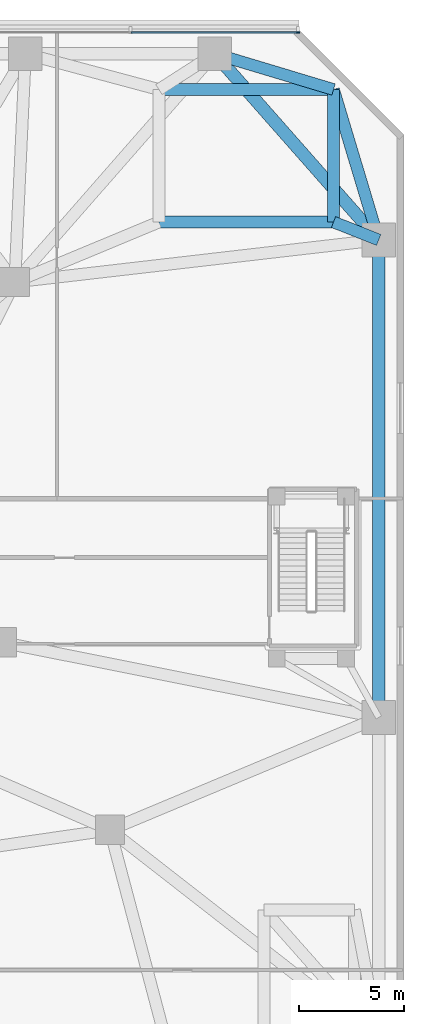
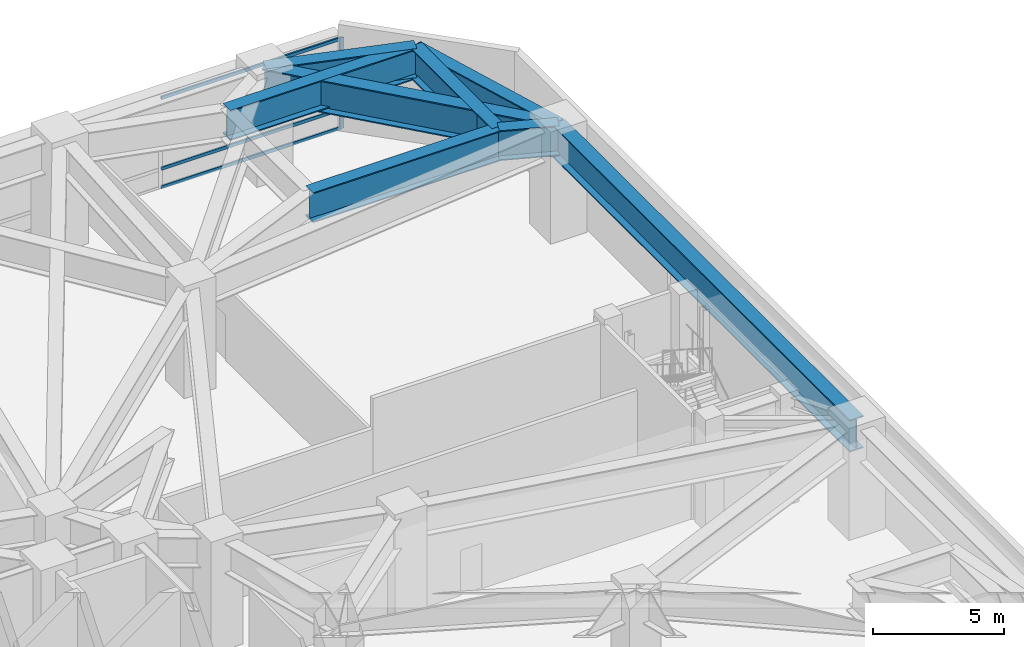
# One storey, part 13 of 27: 8 beams, 4 members, 1 element without a shape of its own.
"""IFC4 building model written with IfcOpenShell, lengths in metres."""

from ifc_helpers import new_model, si_unit, direction, frame, origin, origin_2d, place, context, subcontext, project, spatial, rectangle, i_section, extrude, material, layer, layer_set, material_profile, profile_set, type_object, element, aggregate, save


model = new_model("IFC4")

# Units and contexts
model_context = context("Model", 3, precision=1e-05, world=origin(), true_north=direction((0.0, 1.0)))
body_context = subcontext(model_context, "Body", "Model", "MODEL_VIEW")
ifc_project = project(units=[si_unit("LENGTHUNIT", "METRE"), si_unit("AREAUNIT", "SQUARE_METRE"), si_unit("VOLUMEUNIT", "CUBIC_METRE"), si_unit("PLANEANGLEUNIT", "RADIAN"), si_unit("MASSUNIT", "GRAM", prefix="KILO")], contexts=[model_context])

# Site, building, storey
site_placement = place(None, origin())
site = spatial("IfcSite", under=ifc_project, at=site_placement, CompositionType="ELEMENT")
building_placement = place(site_placement, origin())
building = spatial("IfcBuilding", under=site, at=building_placement, Name="Terralouvre Media Tower", CompositionType="ELEMENT")
storey_placement = place(building_placement, frame((0.0, 0.0, 20.800048828125)))
storey = spatial("IfcBuildingStorey", under=building, at=storey_placement, Name="L04", CompositionType="ELEMENT", Elevation=20.800048828125)

# Curtain wall, members
ifc_material_1 = material(Name="Low-iron laminated double glazing with solar-control coating", Category="glass")
ifc_layer = layer(ifc_material_1, 0.1650390625, Name="Podium Broadcast Gallery Glazing CW-01")
ifc_layer_set = layer_set([ifc_layer], Name="Low-iron laminated double glazing with solar-control coating")
curtain_wall_type = type_object("IfcCurtainWallType", Name="Podium Broadcast Gallery Glazing CW-01", PredefinedType="NOTDEFINED", material=ifc_layer_set)
curtain_wall_placement = place(storey_placement, origin())
curtain_wall = element("IfcCurtainWall", 1, at=curtain_wall_placement, inside=storey, type_object=curtain_wall_type, Name="L04 Podium Curtain Wall F4", PredefinedType="NOTDEFINED")
ifc_material_2 = material(Name="Anodised extruded aluminium 6063-T6", Category="aluminium")
ifc_material_profile_1 = material_profile(ifc_material_2, rectangle(XDim=0.074951171875, YDim=0.14990234375, at=origin_2d()), Name="ALU 75x150")
ifc_profile_set_1 = profile_set([ifc_material_profile_1], Name="Anodised extruded aluminium 6063-T6")
member_type_1 = type_object("IfcMemberType", Name="Curtain-Wall Horizontal Transom TR-150", PredefinedType="USERDEFINED", material=ifc_profile_set_1)
member_1_placement = place(storey_placement, frame((31.925048828125, 33.360107421875, 0.037353515625), z_axis=(-1.0, 0.0, 0.0), x_axis=(0.0, -1.0, 0.0)))
member_1 = element("IfcMember", 2, at=member_1_placement, type_object=member_type_1, Name="CW-01 transom 1.1", ObjectType="TRANSOM", PredefinedType="USERDEFINED", context=body_context, shape_type="SweptSolid", body=[
    extrude(rectangle(XDim=0.074951171875, YDim=0.14990234375, at=origin_2d()), origin(), (0.0, 0.0, 1.0), 7.887451171875),
])
member_2_placement = place(storey_placement, frame((31.925048828125, 33.360107421875, 0.89990234375), z_axis=(-1.0, 0.0, 0.0), x_axis=(0.0, -1.0, 0.0)))
member_2 = element("IfcMember", 3, at=member_2_placement, type_object=member_type_1, Name="CW-01 transom 1.2", ObjectType="TRANSOM", PredefinedType="USERDEFINED", context=body_context, shape_type="SweptSolid", body=[
    extrude(rectangle(XDim=0.074951171875, YDim=0.14990234375, at=origin_2d()), origin(), (0.0, 0.0, 1.0), 7.887451171875),
])
member_3_placement = place(storey_placement, frame((31.925048828125, 33.360107421875, 4.182373046875), z_axis=(-1.0, 0.0, 0.0), x_axis=(0.0, -1.0, 0.0)))
member_3 = element("IfcMember", 4, at=member_3_placement, type_object=member_type_1, Name="CW-01 transom 1.3", ObjectType="TRANSOM", PredefinedType="USERDEFINED", context=body_context, shape_type="SweptSolid", body=[
    extrude(rectangle(XDim=0.074951171875, YDim=0.14990234375, at=origin_2d()), origin(), (0.0, 0.0, 1.0), 7.887451171875),
])
ifc_material_3 = material(Name="Anodised extruded aluminium 6063-T6", Category="aluminium")
ifc_material_profile_2 = material_profile(ifc_material_3, rectangle(XDim=0.074951171875, YDim=0.179931640625, at=origin_2d()), Name="ALU 75x180")
ifc_profile_set_2 = profile_set([ifc_material_profile_2], Name="Anodised extruded aluminium 6063-T6")
member_type_2 = type_object("IfcMemberType", Name="Curtain-Wall Vertical Mullion ML-180", PredefinedType="MULLION", material=ifc_profile_set_2)
member_4_placement = place(storey_placement, frame((31.96240234375, 33.360107421875, 0.0), z_axis=(0.0, 0.0, 1.0), x_axis=(0.0, -1.0, 0.0)))
member_4 = element("IfcMember", 5, at=member_4_placement, type_object=member_type_2, Name="CW-01 mullion 1", PredefinedType="MULLION", context=body_context, shape_type="SweptSolid", body=[
    extrude(rectangle(XDim=0.074951171875, YDim=0.179931640625, at=origin_2d()), origin(), (0.0, 0.0, 1.0), 4.219970703125),
])
aggregate(curtain_wall, [member_4, member_1, member_2, member_3])

# Beams
ifc_material_4 = material(Name="Structural steel S460M", Category="steel")
ifc_material_profile_3 = material_profile(ifc_material_4, i_section(OverallWidth=0.56005859375, OverallDepth=1.39990234375, WebThickness=0.031982421875, FlangeThickness=0.050048828125, at=origin_2d()), Name="TG 1400x560")
ifc_profile_set_3 = profile_set([ifc_material_profile_3], Name="Structural steel S460M")
beam_type_1 = type_object("IfcBeamType", Name="Welded Transfer Girder TG-1400 (TG 1400x560)", PredefinedType="USERDEFINED", material=ifc_profile_set_3)
beam_1_placement = place(storey_placement, frame((33.64990234375, 24.35009765625, 4.239990234375), z_axis=(0.929954842819, -0.367673755274, 0.0), x_axis=(0.367673755274, 0.929954842819, 0.0)))
element("IfcBeam", 6, at=beam_1_placement, inside=storey, type_object=beam_type_1, Name="L04 Framing Beam BM-L04-TR22S1", ObjectType="TRANSFER GIRDER", PredefinedType="USERDEFINED", context=body_context, shape_type="SweptSolid", body=[
    extrude(i_section(OverallWidth=0.56005859375, OverallDepth=1.39990234375, WebThickness=0.031982421875, FlangeThickness=0.050048828125, at=origin_2d()), origin(), (0.0, 0.0, 1.0), 2.31201171875),
])
beam_2_placement = place(storey_placement, frame((33.64990234375, 30.64990234375, 4.239990234375), z_axis=(-0.957582224888, 0.288160168271, 0.0), x_axis=(-0.288160168271, -0.957582224888, 0.0)))
element("IfcBeam", 7, at=beam_2_placement, inside=storey, type_object=beam_type_1, Name="L04 Framing Beam BM-L04-TR23S1", ObjectType="TRANSFER GIRDER", PredefinedType="USERDEFINED", context=body_context, shape_type="SweptSolid", body=[
    extrude(i_section(OverallWidth=0.56005859375, OverallDepth=1.39990234375, WebThickness=0.031982421875, FlangeThickness=0.050048828125, at=origin_2d()), origin(), (0.0, 0.0, 1.0), 5.900146484375),
])
beam_3_placement = place(storey_placement, frame((33.64990234375, 30.64990234375, 4.239990234375), z_axis=(0.287983810984, -0.957635277447, 0.0), x_axis=(0.957635277447, 0.287983810984, 0.0)))
element("IfcBeam", 8, at=beam_3_placement, inside=storey, type_object=beam_type_1, Name="L04 Framing Beam BM-L04-TR23S2", ObjectType="TRANSFER GIRDER", PredefinedType="USERDEFINED", context=body_context, shape_type="SweptSolid", body=[
    extrude(i_section(OverallWidth=0.56005859375, OverallDepth=1.39990234375, WebThickness=0.031982421875, FlangeThickness=0.050048828125, at=origin_2d()), origin(), (0.0, 0.0, 1.0), 7.46630859375),
])
beam_4_placement = place(storey_placement, frame((25.35009765625, 24.35009765625, 4.239990234375), z_axis=(1.0, 0.0, 0.0), x_axis=(0.0, 1.0, 0.0)))
element("IfcBeam", 9, at=beam_4_placement, inside=storey, type_object=beam_type_1, Name="L04 Framing Beam BM-L04-PVR13", ObjectType="TRANSFER GIRDER", PredefinedType="USERDEFINED", context=body_context, shape_type="SweptSolid", body=[
    extrude(i_section(OverallWidth=0.56005859375, OverallDepth=1.39990234375, WebThickness=0.031982421875, FlangeThickness=0.050048828125, at=origin_2d()), origin(), (0.0, 0.0, 1.0), 8.2998046875),
])
beam_5_placement = place(storey_placement, frame((33.64990234375, 24.35009765625, 4.239990234375), z_axis=(0.0, 1.0, 0.0), x_axis=(-1.0, 0.0, 0.0)))
element("IfcBeam", 10, at=beam_5_placement, inside=storey, type_object=beam_type_1, Name="L04 Framing Beam BM-L04-PVR14", ObjectType="TRANSFER GIRDER", PredefinedType="USERDEFINED", context=body_context, shape_type="SweptSolid", body=[
    extrude(i_section(OverallWidth=0.56005859375, OverallDepth=1.39990234375, WebThickness=0.031982421875, FlangeThickness=0.050048828125, at=origin_2d()), origin(), (0.0, 0.0, 1.0), 6.2998046875),
])
beam_6_placement = place(storey_placement, frame((33.64990234375, 30.64990234375, 4.239990234375), z_axis=(-1.0, 0.0, 0.0), x_axis=(0.0, -1.0, 0.0)))
element("IfcBeam", 11, at=beam_6_placement, inside=storey, type_object=beam_type_1, Name="L04 Framing Beam BM-L04-PVR15", ObjectType="TRANSFER GIRDER", PredefinedType="USERDEFINED", context=body_context, shape_type="SweptSolid", body=[
    extrude(i_section(OverallWidth=0.56005859375, OverallDepth=1.39990234375, WebThickness=0.031982421875, FlangeThickness=0.050048828125, at=origin_2d()), origin(), (0.0, 0.0, 1.0), 8.2998046875),
])
ifc_material_5 = material(Name="Structural steel S460M", Category="steel")
ifc_material_profile_4 = material_profile(ifc_material_5, i_section(OverallWidth=0.60009765625, OverallDepth=1.5, WebThickness=0.033935546875, FlangeThickness=0.054931640625, at=origin_2d()), Name="PG 1500x600")
ifc_profile_set_4 = profile_set([ifc_material_profile_4], Name="Structural steel S460M")
beam_type_2 = type_object("IfcBeamType", Name="Welded Transfer Girder TG-1500 (PG 1500x600)", PredefinedType="USERDEFINED", material=ifc_profile_set_4)
beam_7_placement = place(storey_placement, frame((35.800048828125, 0.800048828125, 4.18994140625), z_axis=(0.0, 1.0, 0.0), x_axis=(-1.0, 0.0, 0.0)))
element("IfcBeam", 12, at=beam_7_placement, inside=storey, type_object=beam_type_2, Name="L04 Framing Beam BM-L04-PR09", ObjectType="TRANSFER GIRDER", PredefinedType="USERDEFINED", context=body_context, shape_type="SweptSolid", body=[
    extrude(i_section(OverallWidth=0.60009765625, OverallDepth=1.5, WebThickness=0.033935546875, FlangeThickness=0.054931640625, at=origin_2d()), origin(), (0.0, 0.0, 1.0), 22.699951171875),
])
beam_8_placement = place(storey_placement, frame((35.800048828125, 23.5, 4.18994140625), z_axis=(-0.661199207896, 0.75021037548, 0.0), x_axis=(-0.75021037548, -0.661199207896, 0.0)))
element("IfcBeam", 13, at=beam_8_placement, inside=storey, type_object=beam_type_2, Name="L04 Framing Beam BM-L04-PR10", ObjectType="TRANSFER GIRDER", PredefinedType="USERDEFINED", context=body_context, shape_type="SweptSolid", body=[
    extrude(i_section(OverallWidth=0.60009765625, OverallDepth=1.5, WebThickness=0.033935546875, FlangeThickness=0.054931640625, at=origin_2d()), origin(), (0.0, 0.0, 1.0), 11.796875),
])

save(model, "model.ifc")
